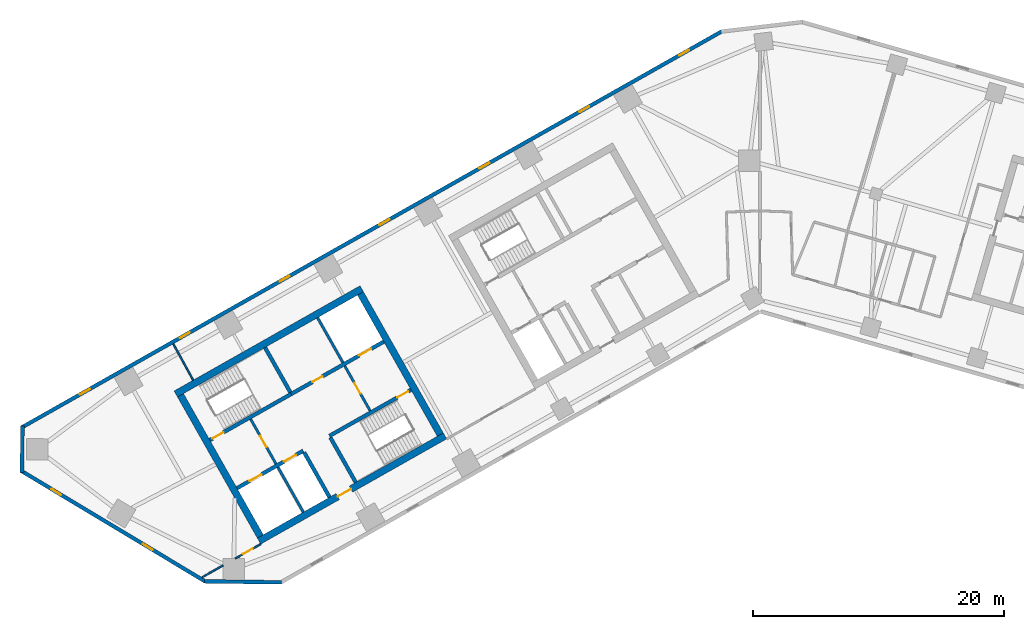
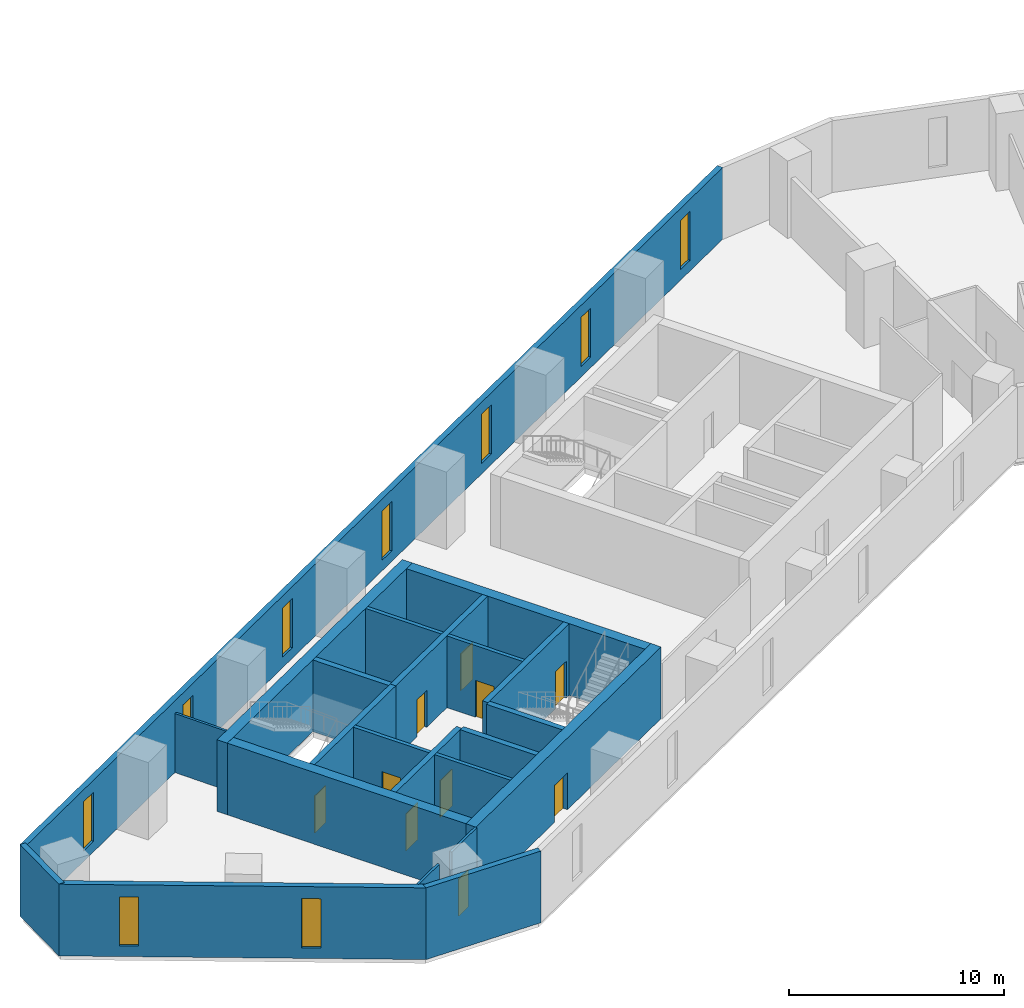
# One storey, part 3 of 10: 22 walls, 10 doors, 9 windows, 19 openings.
"""IFC4 building model written with IfcOpenShell, lengths in metres."""

import ifcopenshell
import ifcopenshell.guid

model = None  # the IFC model being written
_history = None  # IfcOwnerHistory: only IFC2X3 demands one
_inside = {}  # id of a spatial element -> (the spatial element, [elements in it])
_under = {}  # id of a project, library or spatial element -> (it, [spatial elements below it])
_declared = {}  # id of a project -> (the project, [libraries it declares])
_typed = {}  # id of a type object -> (the type object, [elements of that type])
_made_of = {}  # id of a material, layer set ... -> (it, [elements and type objects made of it])


def new_model(schema):
    """Start an empty IFC model of exactly this schema.

    Asked for "IFC4X3", IfcOpenShell would pick the latest addendum, in which some entities
    have other attributes; the version numbers below select the first issue.
    IFC2X3 requires an IfcOwnerHistory on every rooted entity: one is made here for all.
    """
    global model, _history
    if schema == "IFC4X3":
        model = ifcopenshell.file(schema_version=(4, 3, 0, 0))
    else:
        model = ifcopenshell.file(schema=schema)
    _inside.clear()
    _under.clear()
    _declared.clear()
    _typed.clear()
    _made_of.clear()
    _history = None
    if model.schema == "IFC2X3":
        org = make("IfcOrganization", Name="unknown")
        user = make(
            "IfcPersonAndOrganization",
            ThePerson=make("IfcPerson", FamilyName="unknown"),
            TheOrganization=org,
        )
        app = make(
            "IfcApplication",
            ApplicationDeveloper=org,
            Version="unknown",
            ApplicationFullName="unknown",
            ApplicationIdentifier="unknown",
        )
        _history = make(
            "IfcOwnerHistory",
            OwningUser=user,
            OwningApplication=app,
            ChangeAction="ADDED",
            CreationDate=0,
        )
    return model


def make(cls, **values):
    """One entity of the class cls with the attributes given. An attribute that is None is left unset."""
    return model.create_entity(
        cls, **{name: value for name, value in values.items() if value is not None}
    )


def rooted(cls, **values):
    """An entity with a GlobalId (a new one), such as an element, a storey or a relation."""
    return make(cls, GlobalId=ifcopenshell.guid.new(), OwnerHistory=_history, **values)


def si_unit(unit_type, name, prefix=None):
    """IfcSIUnit, for example si_unit("LENGTHUNIT", "METRE", prefix="MILLI")."""
    return make("IfcSIUnit", UnitType=unit_type, Prefix=prefix, Name=name)


def assignment(units):
    """IfcUnitAssignment: the units of a project."""
    return None if units is None else make("IfcUnitAssignment", Units=units)


def point(xyz):
    """IfcCartesianPoint."""
    return None if xyz is None else make("IfcCartesianPoint", Coordinates=xyz)


def direction(xyz):
    """IfcDirection."""
    return None if xyz is None else make("IfcDirection", DirectionRatios=xyz)


def frame(location, z_axis=None, x_axis=None):
    """IfcAxis2Placement3D, a coordinate frame: its origin and axes. An axis left out is left unset."""
    return make(
        "IfcAxis2Placement3D",
        Location=point(location),
        Axis=direction(z_axis),
        RefDirection=direction(x_axis),
    )


def frame_2d(location, x_axis=None):
    """IfcAxis2Placement2D, a coordinate frame in the plane: its origin and x axis."""
    return make(
        "IfcAxis2Placement2D", Location=point(location), RefDirection=direction(x_axis)
    )


def origin():
    """The frame at (0, 0, 0) with its axes left unset."""
    return frame((0.0, 0.0, 0.0))


def place(relative_to, where):
    """IfcLocalPlacement: puts the frame where relative to a parent placement (None: the world)."""
    return make(
        "IfcLocalPlacement", PlacementRelTo=relative_to, RelativePlacement=where
    )


def context(
    kind, dimensions, precision=None, world=None, true_north=None, identifier=None
):
    """IfcGeometricRepresentationContext, for example the 3D "Model" context."""
    return make(
        "IfcGeometricRepresentationContext",
        ContextIdentifier=identifier,
        ContextType=kind,
        CoordinateSpaceDimension=dimensions,
        Precision=precision,
        WorldCoordinateSystem=world,
        TrueNorth=true_north,
    )


def subcontext(parent, identifier, kind, view, scale=None):
    """IfcGeometricRepresentationSubContext, for example "Body" below "Model"."""
    return make(
        "IfcGeometricRepresentationSubContext",
        ContextIdentifier=identifier,
        ContextType=kind,
        ParentContext=parent,
        TargetScale=scale,
        TargetView=view,
    )


def project(units=None, contexts=None):
    """IfcProject with its units and contexts."""
    return rooted(
        "IfcProject",
        Name="project",
        RepresentationContexts=contexts,
        UnitsInContext=assignment(units),
    )


def spatial(cls, under=None, at=None, **own):
    """A site, building, storey or space (cls), placed at a placement, below another one or the project."""
    s = rooted(cls, ObjectPlacement=at, **own)
    if under is not None:
        _under.setdefault(under.id(), (under, []))[1].append(s)
    return s


def profile(cls, at=None, kind="AREA", **sizes):
    """A parametric profile (cls). Its sizes go by their IFC names, for example OverallWidth=200.0."""
    return make(cls, ProfileType=kind, Position=at, **sizes)


def rectangle(**sizes):
    """IfcRectangleProfileDef."""
    return profile("IfcRectangleProfileDef", **sizes)


def extrude(swept, where, along, depth):
    """IfcExtrudedAreaSolid: the profile swept, set in the frame where, extruded along a direction by depth."""
    return make(
        "IfcExtrudedAreaSolid",
        SweptArea=swept,
        Position=where,
        ExtrudedDirection=direction(along),
        Depth=depth,
    )


def shape(context_of_items, identifier, shape_type, items):
    """IfcShapeRepresentation: the items that make up one representation, for example the "Body"."""
    return make(
        "IfcShapeRepresentation",
        ContextOfItems=context_of_items,
        RepresentationIdentifier=identifier,
        RepresentationType=shape_type,
        Items=items,
    )


def material(Name=None, Category=None):
    """IfcMaterial."""
    return make("IfcMaterial", Name=Name, Category=Category)


def layer(
    of_material, thickness, ventilated=None, Name=None, Category=None, Priority=None
):
    """IfcMaterialLayer: one layer of a wall or slab, of a material (None: an air gap)."""
    return make(
        "IfcMaterialLayer",
        Material=of_material,
        LayerThickness=thickness,
        IsVentilated=ventilated,
        Name=Name,
        Category=Category,
        Priority=Priority,
    )


def layer_set(layers, Name=None):
    """IfcMaterialLayerSet."""
    return make("IfcMaterialLayerSet", MaterialLayers=layers, LayerSetName=Name)


def made_of(thing, what):
    """Note that an element or type object is made of a material, layer set ...; save() writes the relation."""
    if what is not None:
        _made_of.setdefault(what.id(), (what, []))[1].append(thing)
    return thing


def type_object(cls, material=None, **own):
    """A type object (cls), such as IfcWallType, which elements share."""
    return made_of(rooted(cls, **own), material)


def element(
    cls,
    number,
    at=None,
    inside=None,
    cuts=None,
    type_object=None,
    material=None,
    context=None,
    identifier="Body",
    shape_type=None,
    held_by="IfcProductDefinitionShape",
    body=None,
    shapes=None,
    **own,
):
    """One element of the class cls, such as IfcWall. Its Tag is "e" and its number.

    at: its placement. inside: the storey or other place that contains it. cuts: it is an
    opening in that element (IfcRelVoidsElement). A single representation is given by context,
    identifier, shape_type and body (its items); several are given by shapes. held_by: the class
    of the entity that holds the representations. save() writes the other relations.
    """
    e = rooted(cls, Tag="e%d" % number, ObjectPlacement=at, **own)
    if body is not None:
        shapes = [shape(context, identifier, shape_type, body)]
    if shapes is not None:
        e.Representation = make(held_by, Representations=shapes)
    if inside is not None:
        _inside.setdefault(inside.id(), (inside, []))[1].append(e)
    if cuts is not None:
        rooted(
            "IfcRelVoidsElement", RelatingBuildingElement=cuts, RelatedOpeningElement=e
        )
    if type_object is not None:
        _typed.setdefault(type_object.id(), (type_object, []))[1].append(e)
    return made_of(e, material)


def fill(opening, filler):
    """IfcRelFillsElement: the door or window that sits in an opening."""
    return rooted(
        "IfcRelFillsElement",
        RelatingOpeningElement=opening,
        RelatedBuildingElement=filler,
    )


def aggregate(whole, parts):
    """IfcRelAggregates: a whole, such as a stair, and the parts it consists of."""
    return rooted("IfcRelAggregates", RelatingObject=whole, RelatedObjects=parts)


def save(model, path):
    """Write the relations noted so far, then the file.

    IfcRelAggregates (storeys below a building ...), IfcRelContainedInSpatialStructure (elements
    in a storey), IfcRelDefinesByType, IfcRelAssociatesMaterial and IfcRelDeclares: one each for
    every whole, place, type object, material and project.
    """
    for whole, parts in _under.values():
        aggregate(whole, parts)
    for where, things in _inside.values():
        rooted(
            "IfcRelContainedInSpatialStructure",
            RelatedElements=things,
            RelatingStructure=where,
        )
    for kind, things in _typed.values():
        rooted("IfcRelDefinesByType", RelatedObjects=things, RelatingType=kind)
    for what, things in _made_of.values():
        rooted("IfcRelAssociatesMaterial", RelatedObjects=things, RelatingMaterial=what)
    for by, libraries in _declared.values():
        rooted("IfcRelDeclares", RelatingContext=by, RelatedDefinitions=libraries)
    model.write(path)


model = new_model("IFC4")

# Units and contexts
model_context = context("Model", 3, precision=1e-05, world=origin(), true_north=direction((0.0, 1.0)))
body_context = subcontext(model_context, "Body", "Model", "MODEL_VIEW")
ifc_project = project(units=[si_unit("LENGTHUNIT", "METRE"), si_unit("AREAUNIT", "SQUARE_METRE"), si_unit("VOLUMEUNIT", "CUBIC_METRE"), si_unit("PLANEANGLEUNIT", "RADIAN"), si_unit("MASSUNIT", "GRAM", prefix="KILO")], contexts=[model_context])

# Site, building, storey
site_placement = place(None, origin())
site = spatial("IfcSite", under=ifc_project, at=site_placement, CompositionType="ELEMENT")
building_placement = place(site_placement, origin())
building = spatial("IfcBuilding", under=site, at=building_placement, Name="Binnacle Exchange Tower", CompositionType="ELEMENT")
storey_placement = place(building_placement, frame((0.0, 0.0, 119.10009765625)))
storey = spatial("IfcBuildingStorey", under=building, at=storey_placement, Name="L24", CompositionType="ELEMENT", Elevation=119.10009765625)

# Wall, openings, doors
ifc_material_1 = material(Name="Concrete C70/85", Category="concrete")
ifc_layer_1 = layer(ifc_material_1, 0.300048828125)
ifc_layer_set_1 = layer_set([ifc_layer_1], Name="Core wall - front 300")
wall_type_1 = type_object("IfcWallType", Name="Core wall - front 300", PredefinedType="SOLIDWALL", material=ifc_layer_set_1)
wall_1_placement = place(storey_placement, frame((-41.599609375, 33.936279296875, 0.0), z_axis=(0.0, 0.0, 1.0), x_axis=(0.870348557882, 0.492436176365, 0.0)))
wall_1 = element("IfcWall", 1, at=wall_1_placement, inside=storey, type_object=wall_type_1, Name="Core wall CRWA2", PredefinedType="SOLIDWALL", context=body_context, shape_type="SweptSolid", body=[
    extrude(rectangle(XDim=6.050048828125, YDim=0.300048828125, at=frame_2d((3.02490234375, 0.0))), origin(), (0.0, 0.0, 1.0), 4.079833984375),
])
opening_1_placement = place(wall_1_placement, frame((1.14990234375, 0.0, 0.0)))
opening_1 = element("IfcOpeningElement", 2, at=opening_1_placement, cuts=wall_1, Name="Opening LD12", PredefinedType="OPENING", context=body_context, shape_type="SweptSolid", body=[
    extrude(rectangle(XDim=1.10009765625, YDim=2.10009765625, at=frame_2d((0.550048828125, 1.050048828125))), frame((0.0, 0.159912109375, 0.0), z_axis=(0.0, -1.0, 0.0), x_axis=(1.0, 0.0, 0.0)), (0.0, 0.0, 1.0), 0.320068359375),
])
opening_2_placement = place(wall_1_placement, frame((4.300048828125, 0.0, 0.0)))
opening_2 = element("IfcOpeningElement", 3, at=opening_2_placement, cuts=wall_1, Name="Opening LD8", PredefinedType="OPENING", context=body_context, shape_type="SweptSolid", body=[
    extrude(rectangle(XDim=1.10009765625, YDim=2.10009765625, at=frame_2d((0.550048828125, 1.050048828125))), frame((0.0, 0.159912109375, 0.0), z_axis=(0.0, -1.0, 0.0), x_axis=(1.0, 0.0, 0.0)), (0.0, 0.0, 1.0), 0.320068359375),
])
ifc_material_2 = material(Name="Steel door leaf", Category="steel")
door_type_1 = type_object("IfcDoorType", Name="Fire door - lift landing 1100", OperationType="NOTDEFINED", PredefinedType="DOOR", material=ifc_material_2)
door_1_placement = place(opening_1_placement, origin())
door_1 = element("IfcDoor", 4, at=door_1_placement, inside=storey, type_object=door_type_1, Name="Landing door LD12 L24", OperationType="DOUBLE_DOOR_SLIDING", OverallHeight=2.10009765625, OverallWidth=1.10009765625, PredefinedType="DOOR", context=body_context, shape_type="SweptSolid", body=[
    extrude(rectangle(XDim=1.10009765625, YDim=2.10009765625, at=frame_2d((0.550048828125, 1.050048828125))), frame((0.0, 0.02490234375, 0.0), z_axis=(0.0, -1.0, 0.0), x_axis=(1.0, 0.0, 0.0)), (0.0, 0.0, 1.0), 0.050048828125),
])
fill(opening_1, door_1)
door_2_placement = place(opening_2_placement, origin())
door_2 = element("IfcDoor", 5, at=door_2_placement, inside=storey, type_object=door_type_1, Name="Landing door LD8 L24", OperationType="DOUBLE_DOOR_SLIDING", OverallHeight=2.10009765625, OverallWidth=1.10009765625, PredefinedType="DOOR", context=body_context, shape_type="SweptSolid", body=[
    extrude(rectangle(XDim=1.10009765625, YDim=2.10009765625, at=frame_2d((0.550048828125, 1.050048828125))), frame((0.0, 0.02490234375, 0.0), z_axis=(0.0, -1.0, 0.0), x_axis=(1.0, 0.0, 0.0)), (0.0, 0.0, 1.0), 0.050048828125),
])
fill(opening_2, door_2)

wall_2_placement = place(storey_placement, frame((-37.281982421875, 41.4345703125, 0.0), z_axis=(0.0, 0.0, 1.0), x_axis=(0.870359895813, 0.492416136779, 0.0)))
wall_2 = element("IfcWall", 6, at=wall_2_placement, inside=storey, type_object=wall_type_1, Name="Core wall CRWA5", PredefinedType="SOLIDWALL", context=body_context, shape_type="SweptSolid", body=[
    extrude(rectangle(XDim=8.449951171875, YDim=0.300048828125, at=frame_2d((4.22509765625, 0.0))), origin(), (0.0, 0.0, 1.0), 4.079833984375),
])
opening_3_placement = place(wall_2_placement, frame((6.199951171875, 0.0, 0.0)))
opening_3 = element("IfcOpeningElement", 7, at=opening_3_placement, cuts=wall_2, Name="Opening LD13", PredefinedType="OPENING", context=body_context, shape_type="SweptSolid", body=[
    extrude(rectangle(XDim=1.10009765625, YDim=2.10009765625, at=frame_2d((0.550048828125, 1.050048828125))), frame((0.0, 0.159912109375, 0.0), z_axis=(0.0, -1.0, 0.0), x_axis=(1.0, 0.0, 0.0)), (0.0, 0.0, 1.0), 0.320068359375),
])
opening_4_placement = place(wall_2_placement, frame((1.949951171875, 0.0, 0.0)))
opening_4 = element("IfcOpeningElement", 8, at=opening_4_placement, cuts=wall_2, Name="Opening DA10", PredefinedType="OPENING", context=body_context, shape_type="SweptSolid", body=[
    extrude(rectangle(XDim=0.89990234375, YDim=2.10009765625, at=frame_2d((0.449951171875, 1.050048828125))), frame((0.0, 0.159912109375, 0.0), z_axis=(0.0, -1.0, 0.0), x_axis=(1.0, 0.0, 0.0)), (0.0, 0.0, 1.0), 0.320068359375),
])
door_3_placement = place(opening_3_placement, origin())
door_3 = element("IfcDoor", 9, at=door_3_placement, inside=storey, type_object=door_type_1, Name="Landing door LD13 L24", OperationType="DOUBLE_DOOR_SLIDING", OverallHeight=2.10009765625, OverallWidth=1.10009765625, PredefinedType="DOOR", context=body_context, shape_type="SweptSolid", body=[
    extrude(rectangle(XDim=1.10009765625, YDim=2.10009765625, at=frame_2d((0.550048828125, 1.050048828125))), frame((0.0, 0.02490234375, 0.0), z_axis=(0.0, -1.0, 0.0), x_axis=(1.0, 0.0, 0.0)), (0.0, 0.0, 1.0), 0.050048828125),
])
fill(opening_3, door_3)
door_type_2 = type_object("IfcDoorType", Name="Fire door 900", OperationType="NOTDEFINED", PredefinedType="DOOR", material=ifc_material_2)
door_4_placement = place(opening_4_placement, origin())
door_4 = element("IfcDoor", 10, at=door_4_placement, inside=storey, type_object=door_type_2, Name="Core room door EQUIPMENT STORE", OperationType="SINGLE_SWING_LEFT", OverallHeight=2.10009765625, OverallWidth=0.89990234375, PredefinedType="DOOR", context=body_context, shape_type="SweptSolid", body=[
    extrude(rectangle(XDim=0.89990234375, YDim=2.10009765625, at=frame_2d((0.449951171875, 1.050048828125))), frame((0.0, 0.02490234375, 0.0), z_axis=(0.0, -1.0, 0.0), x_axis=(1.0, 0.0, 0.0)), (0.0, 0.0, 1.0), 0.050048828125),
])
fill(opening_4, door_4)

# Wall
wall_3_placement = place(storey_placement, frame((-36.260009765625, 36.784912109375, 0.0), z_axis=(0.0, 0.0, 1.0), x_axis=(0.492408451753, -0.87036424366, 0.0)))
element("IfcWall", 11, at=wall_3_placement, inside=storey, type_object=wall_type_1, Name="Core wall CRWA13", PredefinedType="SOLIDWALL", context=body_context, shape_type="SweptSolid", body=[
    extrude(rectangle(XDim=4.099853515625, YDim=0.300048828125, at=frame_2d((2.0498046875, 0.0))), origin(), (0.0, 0.0, 1.0), 4.079833984375),
])

# Wall, opening, door
ifc_layer_2 = layer(ifc_material_1, 0.550048828125)
ifc_layer_set_2 = layer_set([ifc_layer_2], Name="Core wall - outer 550")
wall_type_2 = type_object("IfcWallType", Name="Core wall - outer 550", PredefinedType="SOLIDWALL", material=ifc_layer_set_2)
wall_4_placement = place(storey_placement, frame((-39.85009765625, 29.727294921875, 0.0), z_axis=(0.0, 0.0, 1.0), x_axis=(0.870359753402, 0.492416388494, 0.0)))
wall_4 = element("IfcWall", 12, at=wall_4_placement, inside=storey, type_object=wall_type_2, Name="Core wall CRWA1", PredefinedType="SOLIDWALL", context=body_context, shape_type="SweptSolid", body=[
    extrude(rectangle(XDim=17.0, YDim=0.550048828125, at=frame_2d((8.5, 0.0))), origin(), (0.0, 0.0, 1.0), 4.079833984375),
])
opening_5_placement = place(wall_4_placement, frame((7.199951171875, 0.0, 0.0)))
opening_5 = element("IfcOpeningElement", 13, at=opening_5_placement, cuts=wall_4, Name="Opening DA7", PredefinedType="OPENING", context=body_context, shape_type="SweptSolid", body=[
    extrude(rectangle(XDim=1.199951171875, YDim=2.10009765625, at=frame_2d((0.60009765625, 1.050048828125))), frame((0.0, 0.284912109375, 0.0), z_axis=(0.0, -1.0, 0.0), x_axis=(1.0, 0.0, 0.0)), (0.0, 0.0, 1.0), 0.570068359375),
])
door_type_3 = type_object("IfcDoorType", Name="Fire door 1200", OperationType="NOTDEFINED", PredefinedType="DOOR", material=ifc_material_2)
door_5_placement = place(opening_5_placement, frame((1.199951171875, 0.0, 0.0), z_axis=(0.0, 0.0, 1.0), x_axis=(-1.0, 0.0, 0.0)))
door_5 = element("IfcDoor", 14, at=door_5_placement, inside=storey, type_object=door_type_3, Name="Lift lobby entrance door core A", OperationType="SINGLE_SWING_RIGHT", OverallHeight=2.10009765625, OverallWidth=1.199951171875, PredefinedType="DOOR", context=body_context, shape_type="SweptSolid", body=[
    extrude(rectangle(XDim=1.199951171875, YDim=2.10009765625, at=frame_2d((0.60009765625, 1.050048828125))), frame((0.0, 0.02490234375, 0.0), z_axis=(0.0, -1.0, 0.0), x_axis=(1.0, 0.0, 0.0)), (0.0, 0.0, 1.0), 0.050048828125),
])
fill(opening_5, door_5)

# Walls
wall_5_placement = place(storey_placement, frame((-46.47314453125, 41.43359375, 0.0), z_axis=(0.0, 0.0, 1.0), x_axis=(0.870359753402, 0.492416388494, 0.0)))
element("IfcWall", 15, at=wall_5_placement, inside=storey, type_object=wall_type_2, Name="Core wall CRWA6", PredefinedType="SOLIDWALL", context=body_context, shape_type="SweptSolid", body=[
    extrude(rectangle(XDim=17.0, YDim=0.550048828125, at=frame_2d((8.5, 0.0))), origin(), (0.0, 0.0, 1.0), 4.079833984375),
])
wall_6_placement = place(storey_placement, frame((-46.098388671875, 41.32958984375, 0.0), z_axis=(0.0, 0.0, 1.0), x_axis=(0.492418910884, -0.870358326325, 0.0)))
element("IfcWall", 16, at=wall_6_placement, inside=storey, type_object=wall_type_2, Name="Core wall CRWA7", PredefinedType="SOLIDWALL", context=body_context, shape_type="SweptSolid", body=[
    extrude(rectangle(XDim=12.900146484375, YDim=0.550048828125, at=frame_2d((6.4501953125, 0.0))), origin(), (0.0, 0.0, 1.0), 4.079833984375),
])
wall_7_placement = place(storey_placement, frame((-31.781005859375, 49.429931640625, 0.0), z_axis=(0.0, 0.0, 1.0), x_axis=(0.492427022044, -0.870353737259, 0.0)))
element("IfcWall", 17, at=wall_7_placement, inside=storey, type_object=wall_type_2, Name="Core wall CRWA22", PredefinedType="SOLIDWALL", context=body_context, shape_type="SweptSolid", body=[
    extrude(rectangle(XDim=12.89990234375, YDim=0.550048828125, at=frame_2d((6.449951171875, 0.0))), origin(), (0.0, 0.0, 1.0), 4.079833984375),
])

# Wall, opening, door
ifc_layer_3 = layer(ifc_material_1, 0.300048828125)
ifc_layer_set_3 = layer_set([ifc_layer_3], Name="Core wall - stair 300")
wall_type_3 = type_object("IfcWallType", Name="Core wall - stair 300", PredefinedType="SOLIDWALL", material=ifc_layer_set_3)
wall_8_placement = place(storey_placement, frame((-34.2451171875, 38.097412109375, 0.0), z_axis=(0.0, 0.0, 1.0), x_axis=(0.870360741098, 0.49241464271, 0.0)))
wall_8 = element("IfcWall", 18, at=wall_8_placement, inside=storey, type_object=wall_type_3, Name="Core wall CRWA3", PredefinedType="SOLIDWALL", context=body_context, shape_type="SweptSolid", body=[
    extrude(rectangle(XDim=7.449951171875, YDim=0.300048828125, at=frame_2d((3.72509765625, 0.0))), origin(), (0.0, 0.0, 1.0), 4.079833984375),
])
opening_6_placement = place(wall_8_placement, frame((6.199951171875, 0.0, 0.0)))
opening_6 = element("IfcOpeningElement", 19, at=opening_6_placement, cuts=wall_8, Name="Opening DA2", PredefinedType="OPENING", context=body_context, shape_type="SweptSolid", body=[
    extrude(rectangle(XDim=1.0, YDim=2.10009765625, at=frame_2d((0.5, 1.050048828125))), frame((0.0, 0.159912109375, 0.0), z_axis=(0.0, -1.0, 0.0), x_axis=(1.0, 0.0, 0.0)), (0.0, 0.0, 1.0), 0.320068359375),
])
door_type_4 = type_object("IfcDoorType", Name="Fire door 1000", OperationType="NOTDEFINED", PredefinedType="DOOR", material=ifc_material_2)
door_6_placement = place(opening_6_placement, frame((1.0, 0.0, 0.0), z_axis=(0.0, 0.0, 1.0), x_axis=(-1.0, 0.0, 0.0)))
door_6 = element("IfcDoor", 20, at=door_6_placement, inside=storey, type_object=door_type_4, Name="Stair door ST-A2", OperationType="SINGLE_SWING_LEFT", OverallHeight=2.10009765625, OverallWidth=1.0, PredefinedType="DOOR", context=body_context, shape_type="SweptSolid", body=[
    extrude(rectangle(XDim=1.0, YDim=2.10009765625, at=frame_2d((0.5, 1.050048828125))), frame((0.0, 0.02490234375, 0.0), z_axis=(0.0, -1.0, 0.0), x_axis=(1.0, 0.0, 0.0)), (0.0, 0.0, 1.0), 0.050048828125),
])
fill(opening_6, door_6)

wall_9_placement = place(storey_placement, frame((-43.76611328125, 37.765869140625, 0.0), z_axis=(0.0, 0.0, 1.0), x_axis=(0.870346696097, 0.492439466932, 0.0)))
wall_9 = element("IfcWall", 21, at=wall_9_placement, inside=storey, type_object=wall_type_3, Name="Core wall CRWA4", PredefinedType="SOLIDWALL", context=body_context, shape_type="SweptSolid", body=[
    extrude(rectangle(XDim=7.449951171875, YDim=0.300048828125, at=frame_2d((3.72509765625, 0.0))), origin(), (0.0, 0.0, 1.0), 4.079833984375),
])
opening_7_placement = place(wall_9_placement, frame((0.25, 0.0, 0.0)))
opening_7 = element("IfcOpeningElement", 22, at=opening_7_placement, cuts=wall_9, Name="Opening DA1", PredefinedType="OPENING", context=body_context, shape_type="SweptSolid", body=[
    extrude(rectangle(XDim=1.0, YDim=2.10009765625, at=frame_2d((0.5, 1.050048828125))), frame((0.0, 0.159912109375, 0.0), z_axis=(0.0, -1.0, 0.0), x_axis=(1.0, 0.0, 0.0)), (0.0, 0.0, 1.0), 0.320068359375),
])
door_7_placement = place(opening_7_placement, origin())
door_7 = element("IfcDoor", 23, at=door_7_placement, inside=storey, type_object=door_type_4, Name="Stair door ST-A1", OperationType="SINGLE_SWING_LEFT", OverallHeight=2.10009765625, OverallWidth=1.0, PredefinedType="DOOR", context=body_context, shape_type="SweptSolid", body=[
    extrude(rectangle(XDim=1.0, YDim=2.10009765625, at=frame_2d((0.5, 1.050048828125))), frame((0.0, 0.02490234375, 0.0), z_axis=(0.0, -1.0, 0.0), x_axis=(1.0, 0.0, 0.0)), (0.0, 0.0, 1.0), 0.050048828125),
])
fill(opening_7, door_7)

# Walls
for number, where, z_axis, x_axis, name in (
    (24, (-39.375, 45.133544921875, 0.0), (0.0, 0.0, 1.0), (0.492428039142, -0.870353161807, 0.0), "Core wall CRWA14"),
    (25, (-34.171142578125, 37.966796875, 0.0), (0.0, 0.0, 1.0), (0.492382931784, -0.870378681085, 0.0), "Core wall CRWA16"),
):
    element("IfcWall", number, at=place(storey_placement, frame(where, z_axis=z_axis, x_axis=x_axis)), inside=storey, type_object=wall_type_3, Name=name, PredefinedType="SOLIDWALL", context=body_context, shape_type="SweptSolid", body=[
        extrude(rectangle(XDim=4.10009765625, YDim=0.300048828125, at=frame_2d((2.050048828125, 0.0))), origin(), (0.0, 0.0, 1.0), 4.079833984375),
    ])

# Wall, openings, windows
ifc_material_3 = material(Name="Bronze aluminium cladding", Category="aluminium")
ifc_layer_4 = layer(ifc_material_3, 0.300048828125)
ifc_layer_set_4 = layer_set([ifc_layer_4], Name="External wall - spandrel 300")
wall_type_4 = type_object("IfcWallType", Name="External wall - spandrel 300", PredefinedType="STANDARD", material=ifc_layer_set_4)
wall_10_placement = place(storey_placement, frame((-58.744873046875, 38.763671875, 0.0), z_axis=(0.0, 0.0, 1.0), x_axis=(0.870355811726, 0.492423355453, 0.0)))
wall_10 = element("IfcWall", 26, at=wall_10_placement, inside=storey, type_object=wall_type_4, Name="External wall EW-F03 L24", PredefinedType="STANDARD", context=body_context, shape_type="SweptSolid", body=[
    extrude(rectangle(XDim=64.025390625, YDim=0.300048828125, at=frame_2d((32.0126953125, 0.0))), origin(), (0.0, 0.0, 1.0), 4.079833984375),
])
opening_8_placement = place(wall_10_placement, frame((60.12158203125, 0.0, 0.60009765625)))
opening_8 = element("IfcOpeningElement", 27, at=opening_8_placement, cuts=wall_10, Name="Opening WS2", PredefinedType="OPENING", context=body_context, shape_type="SweptSolid", body=[
    extrude(rectangle(XDim=0.89990234375, YDim=2.800048828125, at=frame_2d((0.449951171875, 1.39990234375))), frame((0.0, 0.159912109375, 0.0), z_axis=(0.0, -1.0, 0.0), x_axis=(1.0, 0.0, 0.0)), (0.0, 0.0, 1.0), 0.320068359375),
])
opening_9_placement = place(wall_10_placement, frame((50.99169921875, 0.0, 0.60009765625)))
opening_9 = element("IfcOpeningElement", 28, at=opening_9_placement, cuts=wall_10, Name="Opening WS2", PredefinedType="OPENING", context=body_context, shape_type="SweptSolid", body=[
    extrude(rectangle(XDim=0.89990234375, YDim=2.800048828125, at=frame_2d((0.449951171875, 1.39990234375))), frame((0.0, 0.159912109375, 0.0), z_axis=(0.0, -1.0, 0.0), x_axis=(1.0, 0.0, 0.0)), (0.0, 0.0, 1.0), 0.320068359375),
])
opening_10_placement = place(wall_10_placement, frame((41.86181640625, 0.0, 0.60009765625)))
opening_10 = element("IfcOpeningElement", 29, at=opening_10_placement, cuts=wall_10, Name="Opening WS2", PredefinedType="OPENING", context=body_context, shape_type="SweptSolid", body=[
    extrude(rectangle(XDim=0.89990234375, YDim=2.800048828125, at=frame_2d((0.449951171875, 1.39990234375))), frame((0.0, 0.159912109375, 0.0), z_axis=(0.0, -1.0, 0.0), x_axis=(1.0, 0.0, 0.0)), (0.0, 0.0, 1.0), 0.320068359375),
])
opening_11_placement = place(wall_10_placement, frame((32.73193359375, 0.0, 0.60009765625)))
opening_11 = element("IfcOpeningElement", 30, at=opening_11_placement, cuts=wall_10, Name="Opening WS2", PredefinedType="OPENING", context=body_context, shape_type="SweptSolid", body=[
    extrude(rectangle(XDim=0.89990234375, YDim=2.800048828125, at=frame_2d((0.449951171875, 1.39990234375))), frame((0.0, 0.159912109375, 0.0), z_axis=(0.0, -1.0, 0.0), x_axis=(1.0, 0.0, 0.0)), (0.0, 0.0, 1.0), 0.320068359375),
])
opening_12_placement = place(wall_10_placement, frame((23.60205078125, 0.0, 0.60009765625)))
opening_12 = element("IfcOpeningElement", 31, at=opening_12_placement, cuts=wall_10, Name="Opening WS2", PredefinedType="OPENING", context=body_context, shape_type="SweptSolid", body=[
    extrude(rectangle(XDim=0.89990234375, YDim=2.800048828125, at=frame_2d((0.449951171875, 1.39990234375))), frame((0.0, 0.159912109375, 0.0), z_axis=(0.0, -1.0, 0.0), x_axis=(1.0, 0.0, 0.0)), (0.0, 0.0, 1.0), 0.320068359375),
])
opening_13_placement = place(wall_10_placement, frame((14.47216796875, 0.0, 0.60009765625)))
opening_13 = element("IfcOpeningElement", 32, at=opening_13_placement, cuts=wall_10, Name="Opening WS2", PredefinedType="OPENING", context=body_context, shape_type="SweptSolid", body=[
    extrude(rectangle(XDim=0.89990234375, YDim=2.800048828125, at=frame_2d((0.449951171875, 1.39990234375))), frame((0.0, 0.159912109375, 0.0), z_axis=(0.0, -1.0, 0.0), x_axis=(1.0, 0.0, 0.0)), (0.0, 0.0, 1.0), 0.320068359375),
])
opening_14_placement = place(wall_10_placement, frame((5.34228515625, 0.0, 0.60009765625)))
opening_14 = element("IfcOpeningElement", 33, at=opening_14_placement, cuts=wall_10, Name="Opening WS2", PredefinedType="OPENING", context=body_context, shape_type="SweptSolid", body=[
    extrude(rectangle(XDim=0.89990234375, YDim=2.800048828125, at=frame_2d((0.449951171875, 1.39990234375))), frame((0.0, 0.159912109375, 0.0), z_axis=(0.0, -1.0, 0.0), x_axis=(1.0, 0.0, 0.0)), (0.0, 0.0, 1.0), 0.320068359375),
])
ifc_material_4 = material(Name="Bronze anodised aluminium frame", Category="aluminium")
window_type = type_object("IfcWindowType", Name="WS2 WINDOW 900x2800", PartitioningType="SINGLE_PANEL", PredefinedType="WINDOW", material=ifc_material_4)
window_1_placement = place(opening_8_placement, origin())
window_1 = element("IfcWindow", 34, at=window_1_placement, inside=storey, type_object=window_type, Name="Window WS2 L24", OverallHeight=2.800048828125, OverallWidth=0.89990234375, PartitioningType="SINGLE_PANEL", PredefinedType="WINDOW", context=body_context, shape_type="SweptSolid", body=[
    extrude(rectangle(XDim=0.89990234375, YDim=2.800048828125, at=frame_2d((0.449951171875, 1.39990234375))), frame((0.0, 0.030029296875, 0.0), z_axis=(0.0, -1.0, 0.0), x_axis=(1.0, 0.0, 0.0)), (0.0, 0.0, 1.0), 0.06005859375),
])
fill(opening_8, window_1)
window_2_placement = place(opening_9_placement, origin())
window_2 = element("IfcWindow", 35, at=window_2_placement, inside=storey, type_object=window_type, Name="Window WS2 L24", OverallHeight=2.800048828125, OverallWidth=0.89990234375, PartitioningType="SINGLE_PANEL", PredefinedType="WINDOW", context=body_context, shape_type="SweptSolid", body=[
    extrude(rectangle(XDim=0.89990234375, YDim=2.800048828125, at=frame_2d((0.449951171875, 1.39990234375))), frame((0.0, 0.030029296875, 0.0), z_axis=(0.0, -1.0, 0.0), x_axis=(1.0, 0.0, 0.0)), (0.0, 0.0, 1.0), 0.06005859375),
])
fill(opening_9, window_2)
window_3_placement = place(opening_10_placement, origin())
window_3 = element("IfcWindow", 36, at=window_3_placement, inside=storey, type_object=window_type, Name="Window WS2 L24", OverallHeight=2.800048828125, OverallWidth=0.89990234375, PartitioningType="SINGLE_PANEL", PredefinedType="WINDOW", context=body_context, shape_type="SweptSolid", body=[
    extrude(rectangle(XDim=0.89990234375, YDim=2.800048828125, at=frame_2d((0.449951171875, 1.39990234375))), frame((0.0, 0.030029296875, 0.0), z_axis=(0.0, -1.0, 0.0), x_axis=(1.0, 0.0, 0.0)), (0.0, 0.0, 1.0), 0.06005859375),
])
fill(opening_10, window_3)
window_4_placement = place(opening_11_placement, origin())
window_4 = element("IfcWindow", 37, at=window_4_placement, inside=storey, type_object=window_type, Name="Window WS2 L24", OverallHeight=2.800048828125, OverallWidth=0.89990234375, PartitioningType="SINGLE_PANEL", PredefinedType="WINDOW", context=body_context, shape_type="SweptSolid", body=[
    extrude(rectangle(XDim=0.89990234375, YDim=2.800048828125, at=frame_2d((0.449951171875, 1.39990234375))), frame((0.0, 0.030029296875, 0.0), z_axis=(0.0, -1.0, 0.0), x_axis=(1.0, 0.0, 0.0)), (0.0, 0.0, 1.0), 0.06005859375),
])
fill(opening_11, window_4)
window_5_placement = place(opening_12_placement, origin())
window_5 = element("IfcWindow", 38, at=window_5_placement, inside=storey, type_object=window_type, Name="Window WS2 L24", OverallHeight=2.800048828125, OverallWidth=0.89990234375, PartitioningType="SINGLE_PANEL", PredefinedType="WINDOW", context=body_context, shape_type="SweptSolid", body=[
    extrude(rectangle(XDim=0.89990234375, YDim=2.800048828125, at=frame_2d((0.449951171875, 1.39990234375))), frame((0.0, 0.030029296875, 0.0), z_axis=(0.0, -1.0, 0.0), x_axis=(1.0, 0.0, 0.0)), (0.0, 0.0, 1.0), 0.06005859375),
])
fill(opening_12, window_5)
window_6_placement = place(opening_13_placement, origin())
window_6 = element("IfcWindow", 39, at=window_6_placement, inside=storey, type_object=window_type, Name="Window WS2 L24", OverallHeight=2.800048828125, OverallWidth=0.89990234375, PartitioningType="SINGLE_PANEL", PredefinedType="WINDOW", context=body_context, shape_type="SweptSolid", body=[
    extrude(rectangle(XDim=0.89990234375, YDim=2.800048828125, at=frame_2d((0.449951171875, 1.39990234375))), frame((0.0, 0.030029296875, 0.0), z_axis=(0.0, -1.0, 0.0), x_axis=(1.0, 0.0, 0.0)), (0.0, 0.0, 1.0), 0.06005859375),
])
fill(opening_13, window_6)
window_7_placement = place(opening_14_placement, origin())
window_7 = element("IfcWindow", 40, at=window_7_placement, inside=storey, type_object=window_type, Name="Window WS2 L24", OverallHeight=2.800048828125, OverallWidth=0.89990234375, PartitioningType="SINGLE_PANEL", PredefinedType="WINDOW", context=body_context, shape_type="SweptSolid", body=[
    extrude(rectangle(XDim=0.89990234375, YDim=2.800048828125, at=frame_2d((0.449951171875, 1.39990234375))), frame((0.0, 0.030029296875, 0.0), z_axis=(0.0, -1.0, 0.0), x_axis=(1.0, 0.0, 0.0)), (0.0, 0.0, 1.0), 0.06005859375),
])
fill(opening_14, window_7)

# Wall
wall_11_placement = place(storey_placement, frame((-58.717041015625, 35.19384765625, 0.0), z_axis=(0.0, 0.0, 1.0), x_axis=(0.013069053407, 0.999914596275, 0.0)))
element("IfcWall", 41, at=wall_11_placement, inside=storey, type_object=wall_type_4, Name="External wall EW-F04 L24", PredefinedType="STANDARD", context=body_context, shape_type="SweptSolid", body=[
    extrude(rectangle(XDim=3.69873046875, YDim=0.300048828125, at=frame_2d((1.849365234375, 0.0))), origin(), (0.0, 0.0, 1.0), 4.079833984375),
])

# Wall, openings, windows
wall_12_placement = place(storey_placement, frame((-44.109375, 26.503662109375, 0.0), z_axis=(0.0, 0.0, 1.0), x_axis=(-0.857169502585, 0.515034410344, 0.0)))
wall_12 = element("IfcWall", 42, at=wall_12_placement, inside=storey, type_object=wall_type_4, Name="External wall EW-F05 L24", PredefinedType="STANDARD", context=body_context, shape_type="SweptSolid", body=[
    extrude(rectangle(XDim=17.126708984375, YDim=0.300048828125, at=frame_2d((8.5634765625, 0.0))), origin(), (0.0, 0.0, 1.0), 4.079833984375),
])
opening_15_placement = place(wall_12_placement, frame((13.403076171875, 0.0, 0.60009765625)))
opening_15 = element("IfcOpeningElement", 43, at=opening_15_placement, cuts=wall_12, Name="Opening WS2", PredefinedType="OPENING", context=body_context, shape_type="SweptSolid", body=[
    extrude(rectangle(XDim=0.89990234375, YDim=2.800048828125, at=frame_2d((0.449951171875, 1.39990234375))), frame((0.0, 0.159912109375, 0.0), z_axis=(0.0, -1.0, 0.0), x_axis=(1.0, 0.0, 0.0)), (0.0, 0.0, 1.0), 0.320068359375),
])
opening_16_placement = place(wall_12_placement, frame((4.903076171875, 0.0, 0.60009765625)))
opening_16 = element("IfcOpeningElement", 44, at=opening_16_placement, cuts=wall_12, Name="Opening WS2", PredefinedType="OPENING", context=body_context, shape_type="SweptSolid", body=[
    extrude(rectangle(XDim=0.89990234375, YDim=2.800048828125, at=frame_2d((0.449951171875, 1.39990234375))), frame((0.0, 0.159912109375, 0.0), z_axis=(0.0, -1.0, 0.0), x_axis=(1.0, 0.0, 0.0)), (0.0, 0.0, 1.0), 0.320068359375),
])
window_8_placement = place(opening_15_placement, origin())
window_8 = element("IfcWindow", 45, at=window_8_placement, inside=storey, type_object=window_type, Name="Window WS2 L24", OverallHeight=2.800048828125, OverallWidth=0.89990234375, PartitioningType="SINGLE_PANEL", PredefinedType="WINDOW", context=body_context, shape_type="SweptSolid", body=[
    extrude(rectangle(XDim=0.89990234375, YDim=2.800048828125, at=frame_2d((0.449951171875, 1.39990234375))), frame((0.0, 0.030029296875, 0.0), z_axis=(0.0, -1.0, 0.0), x_axis=(1.0, 0.0, 0.0)), (0.0, 0.0, 1.0), 0.06005859375),
])
fill(opening_15, window_8)
window_9_placement = place(opening_16_placement, origin())
window_9 = element("IfcWindow", 46, at=window_9_placement, inside=storey, type_object=window_type, Name="Window WS2 L24", OverallHeight=2.800048828125, OverallWidth=0.89990234375, PartitioningType="SINGLE_PANEL", PredefinedType="WINDOW", context=body_context, shape_type="SweptSolid", body=[
    extrude(rectangle(XDim=0.89990234375, YDim=2.800048828125, at=frame_2d((0.449951171875, 1.39990234375))), frame((0.0, 0.030029296875, 0.0), z_axis=(0.0, -1.0, 0.0), x_axis=(1.0, 0.0, 0.0)), (0.0, 0.0, 1.0), 0.06005859375),
])
fill(opening_16, window_9)

# Wall
wall_13_placement = place(storey_placement, frame((-38.057373046875, 26.44482421875, 0.0), z_axis=(0.0, 0.0, 1.0), x_axis=(-0.999914086342, 0.013108010296, 0.0)))
element("IfcWall", 47, at=wall_13_placement, inside=storey, type_object=wall_type_4, Name="External wall EW-F06 L24", PredefinedType="STANDARD", context=body_context, shape_type="SweptSolid", body=[
    extrude(rectangle(XDim=6.127685546875, YDim=0.300048828125, at=frame_2d((3.06396484375, 0.0))), origin(), (0.0, 0.0, 1.0), 4.079833984375),
])

# Wall, opening, door
ifc_material_5 = material(Name="Masonry block wall", Category="masonry")
ifc_layer_5 = layer(ifc_material_5, 0.199951171875)
ifc_layer_set_5 = layer_set([ifc_layer_5], Name="Fire wall - vestibule 200")
wall_type_5 = type_object("IfcWallType", Name="Fire wall - vestibule 200", PredefinedType="PARTITIONING", material=ifc_layer_set_5)
wall_14_placement = place(storey_placement, frame((-40.515625, 39.4326171875, 0.0), z_axis=(0.0, 0.0, 1.0), x_axis=(0.492453559952, -0.87033872216, 0.0)))
wall_14 = element("IfcWall", 48, at=wall_14_placement, inside=storey, type_object=wall_type_5, Name="Core wall CRWA10", PredefinedType="PARTITIONING", context=body_context, shape_type="SweptSolid", body=[
    extrude(rectangle(XDim=4.099853515625, YDim=0.199951171875, at=frame_2d((2.0498046875, 0.0))), origin(), (0.0, 0.0, 1.0), 4.079833984375),
])
opening_17_placement = place(wall_14_placement, frame((1.550048828125, 0.0, 0.0)))
opening_17 = element("IfcOpeningElement", 49, at=opening_17_placement, cuts=wall_14, Name="Opening DA3", PredefinedType="OPENING", context=body_context, shape_type="SweptSolid", body=[
    extrude(rectangle(XDim=1.0, YDim=2.10009765625, at=frame_2d((0.5, 1.050048828125))), frame((0.0, 0.10986328125, 0.0), z_axis=(0.0, -1.0, 0.0), x_axis=(1.0, 0.0, 0.0)), (0.0, 0.0, 1.0), 0.219970703125),
])
door_8_placement = place(opening_17_placement, frame((1.0, 0.0, 0.0), z_axis=(0.0, 0.0, 1.0), x_axis=(-1.0, 0.0, 0.0)))
door_8 = element("IfcDoor", 50, at=door_8_placement, inside=storey, type_object=door_type_4, Name="Vestibule door VEST-W", OperationType="SINGLE_SWING_LEFT", OverallHeight=2.10009765625, OverallWidth=1.0, PredefinedType="DOOR", context=body_context, shape_type="SweptSolid", body=[
    extrude(rectangle(XDim=1.0, YDim=2.10009765625, at=frame_2d((0.5, 1.050048828125))), frame((0.0, 0.02490234375, 0.0), z_axis=(0.0, -1.0, 0.0), x_axis=(1.0, 0.0, 0.0)), (0.0, 0.0, 1.0), 0.050048828125),
])
fill(opening_17, door_8)

wall_15_placement = place(storey_placement, frame((-33.030517578125, 43.66748046875, 0.0), z_axis=(0.0, 0.0, 1.0), x_axis=(0.492408451753, -0.87036424366, 0.0)))
wall_15 = element("IfcWall", 51, at=wall_15_placement, inside=storey, type_object=wall_type_5, Name="Core wall CRWA19", PredefinedType="PARTITIONING", context=body_context, shape_type="SweptSolid", body=[
    extrude(rectangle(XDim=4.099853515625, YDim=0.199951171875, at=frame_2d((2.0498046875, 0.0))), origin(), (0.0, 0.0, 1.0), 4.079833984375),
])
opening_18_placement = place(wall_15_placement, frame((1.550048828125, 0.0, 0.0)))
opening_18 = element("IfcOpeningElement", 52, at=opening_18_placement, cuts=wall_15, Name="Opening DA4", PredefinedType="OPENING", context=body_context, shape_type="SweptSolid", body=[
    extrude(rectangle(XDim=1.0, YDim=2.10009765625, at=frame_2d((0.5, 1.050048828125))), frame((0.0, 0.10986328125, 0.0), z_axis=(0.0, -1.0, 0.0), x_axis=(1.0, 0.0, 0.0)), (0.0, 0.0, 1.0), 0.219970703125),
])
door_9_placement = place(opening_18_placement, origin())
door_9 = element("IfcDoor", 53, at=door_9_placement, inside=storey, type_object=door_type_4, Name="Vestibule door VEST-E", OperationType="SINGLE_SWING_RIGHT", OverallHeight=2.10009765625, OverallWidth=1.0, PredefinedType="DOOR", context=body_context, shape_type="SweptSolid", body=[
    extrude(rectangle(XDim=1.0, YDim=2.10009765625, at=frame_2d((0.5, 1.050048828125))), frame((0.0, 0.02490234375, 0.0), z_axis=(0.0, -1.0, 0.0), x_axis=(1.0, 0.0, 0.0)), (0.0, 0.0, 1.0), 0.050048828125),
])
fill(opening_18, door_9)

# Walls
ifc_material_6 = material(Name="Gypsum partition")
ifc_layer_6 = layer(ifc_material_6, 0.125)
ifc_layer_set_6 = layer_set([ifc_layer_6], Name="Partition 125")
wall_type_6 = type_object("IfcWallType", Name="Partition 125", PredefinedType="PARTITIONING", material=ifc_layer_set_6)
wall_16_placement = place(storey_placement, frame((-46.677978515625, 45.4189453125, 0.0), z_axis=(0.0, 0.0, 1.0), x_axis=(0.483275206546, -0.875468488718, 0.0)))
element("IfcWall", 54, at=wall_16_placement, inside=storey, type_object=wall_type_6, Name="Partition W01", PredefinedType="PARTITIONING", context=body_context, shape_type="SweptSolid", body=[
    extrude(rectangle(XDim=3.294189453125, YDim=0.125, at=frame_2d((1.64697265625, 0.0))), origin(), (0.0, 0.0, 1.0), 3.35986328125),
])
wall_17_placement = place(storey_placement, frame((-44.385986328125, 26.844970703125, 0.0), z_axis=(0.0, 0.0, 1.0), x_axis=(0.870226201187, 0.492652371118, 0.0)))
element("IfcWall", 55, at=wall_17_placement, inside=storey, type_object=wall_type_6, Name="Partition W02", PredefinedType="PARTITIONING", context=body_context, shape_type="SweptSolid", body=[
    extrude(rectangle(XDim=1.9326171875, YDim=0.125, at=frame_2d((0.96630859375, 0.0))), origin(), (0.0, 0.0, 1.0), 4.079833984375),
])

# Wall, opening, door
wall_18_placement = place(storey_placement, frame((-41.738037109375, 28.343017578125, 0.0), z_axis=(0.0, 0.0, 1.0), x_axis=(0.870265350095, 0.492583211676, 0.0)))
wall_18 = element("IfcWall", 56, at=wall_18_placement, inside=storey, type_object=wall_type_6, Name="Partition W03", PredefinedType="PARTITIONING", context=body_context, shape_type="SweptSolid", body=[
    extrude(rectangle(XDim=2.324462890625, YDim=0.125, at=frame_2d((1.162109375, 0.0))), origin(), (0.0, 0.0, 1.0), 4.079833984375),
])
opening_19_placement = place(wall_18_placement, frame((0.699951171875, 0.0, 0.0)))
opening_19 = element("IfcOpeningElement", 57, at=opening_19_placement, cuts=wall_18, Name="Opening DL22-01", PredefinedType="OPENING", context=body_context, shape_type="SweptSolid", body=[
    extrude(rectangle(XDim=0.89990234375, YDim=2.10009765625, at=frame_2d((0.449951171875, 1.050048828125))), frame((0.0, 0.072509765625, 0.0), z_axis=(0.0, -1.0, 0.0), x_axis=(1.0, 0.0, 0.0)), (0.0, 0.0, 1.0), 0.14501953125),
])
ifc_material_7 = material(Name="Timber door leaf", Category="wood")
door_type_5 = type_object("IfcDoorType", Name="Door 900", OperationType="NOTDEFINED", PredefinedType="DOOR", material=ifc_material_7)
door_10_placement = place(opening_19_placement, origin())
door_10 = element("IfcDoor", 58, at=door_10_placement, inside=storey, type_object=door_type_5, Name="Door DL22-01", OperationType="SINGLE_SWING_LEFT", OverallHeight=2.10009765625, OverallWidth=0.89990234375, PredefinedType="DOOR", context=body_context, shape_type="SweptSolid", body=[
    extrude(rectangle(XDim=0.89990234375, YDim=2.10009765625, at=frame_2d((0.449951171875, 1.050048828125))), frame((0.0, 0.02490234375, 0.0), z_axis=(0.0, -1.0, 0.0), x_axis=(1.0, 0.0, 0.0)), (0.0, 0.0, 1.0), 0.050048828125),
])
fill(opening_19, door_10)

# Walls
ifc_layer_7 = layer(ifc_material_5, 0.199951171875)
ifc_layer_set_7 = layer_set([ifc_layer_7], Name="Shaft wall 200")
wall_type_7 = type_object("IfcWallType", Name="Shaft wall 200", PredefinedType="SOLIDWALL", material=ifc_layer_set_7)
wall_19_placement = place(storey_placement, frame((-38.348876953125, 35.603271484375, 0.0), z_axis=(0.0, 0.0, 1.0), x_axis=(0.492382931784, -0.870378681085, 0.0)))
element("IfcWall", 59, at=wall_19_placement, inside=storey, type_object=wall_type_7, Name="Core wall CRWA9", PredefinedType="SOLIDWALL", context=body_context, shape_type="SweptSolid", body=[
    extrude(rectangle(XDim=4.10009765625, YDim=0.199951171875, at=frame_2d((2.050048828125, 0.0))), origin(), (0.0, 0.0, 1.0), 4.079833984375),
])
wall_20_placement = place(storey_placement, frame((-35.197265625, 47.4970703125, 0.0), z_axis=(0.0, 0.0, 1.0), x_axis=(0.492453559952, -0.87033872216, 0.0)))
element("IfcWall", 60, at=wall_20_placement, inside=storey, type_object=wall_type_7, Name="Core wall CRWA21", PredefinedType="SOLIDWALL", context=body_context, shape_type="SweptSolid", body=[
    extrude(rectangle(XDim=4.099853515625, YDim=0.199951171875, at=frame_2d((2.0498046875, 0.0))), origin(), (0.0, 0.0, 1.0), 4.079833984375),
])

save(model, "model.ifc")
